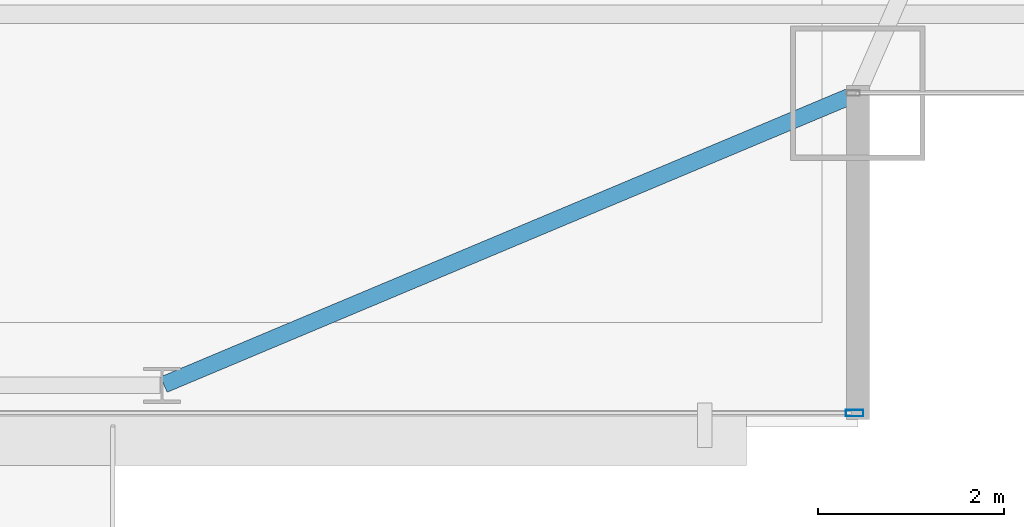
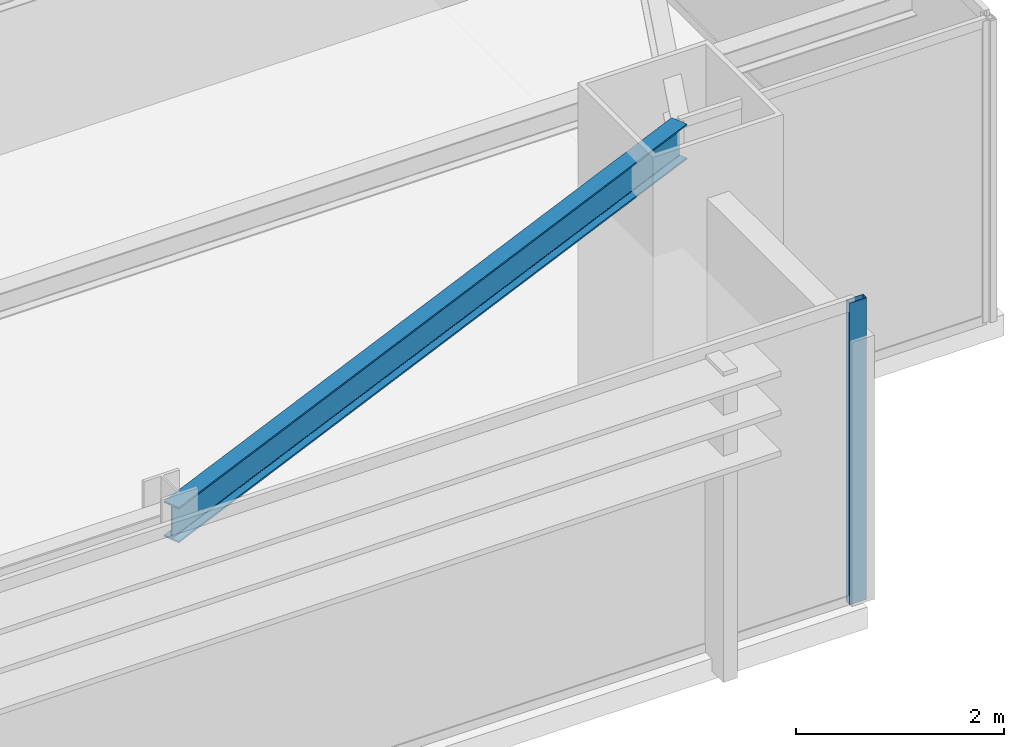
# One storey, part 14 of 37: 1 beam, 1 member, 1 element without a shape of its own.
"""IFC4 building model written with IfcOpenShell, lengths in metres."""

from ifc_helpers import new_model, si_unit, direction, frame, origin, origin_2d, place, context, subcontext, project, spatial, hollow_rectangle, i_section, extrude, source, transform, mapped, material, layer, layer_set, material_profile, profile_set, type_object, type_shapes, element, aggregate, save


model = new_model("IFC4")

# Units and contexts
model_context = context("Model", 3, precision=1e-05, world=origin(), true_north=direction((0.0, 1.0)))
body_context = subcontext(model_context, "Body", "Model", "MODEL_VIEW")
ifc_project = project(units=[si_unit("LENGTHUNIT", "METRE"), si_unit("AREAUNIT", "SQUARE_METRE"), si_unit("VOLUMEUNIT", "CUBIC_METRE"), si_unit("PLANEANGLEUNIT", "RADIAN"), si_unit("MASSUNIT", "GRAM", prefix="KILO")], contexts=[model_context])

# Site, building, storey
site_placement = place(None, origin())
site = spatial("IfcSite", under=ifc_project, at=site_placement, CompositionType="ELEMENT")
building_placement = place(site_placement, origin())
building = spatial("IfcBuilding", under=site, at=building_placement, Name="Varnel Quay Broadcast Tower", CompositionType="ELEMENT")
storey_placement = place(building_placement, frame((0.0, 0.0, 125.800048828125)))
storey = spatial("IfcBuildingStorey", under=building, at=storey_placement, Name="L30", CompositionType="ELEMENT", Elevation=125.800048828125)

# Beam
ifc_material_1 = material(Name="Structural Steel CSA G40.21 350W", Category="steel")
ifc_material_profile_1 = material_profile(ifc_material_1, i_section(OverallWidth=0.180908203125, OverallDepth=0.4169921875, WebThickness=0.010986328125, FlangeThickness=0.018310546875, FilletRadius=0.011962890625, at=origin_2d()), Name="W410X85")
ifc_profile_set_1 = profile_set([ifc_material_profile_1], Name="Structural Steel CSA G40.21 350W")
beam_type = type_object("IfcBeamType", Name="Beam_W410X85", PredefinedType="SPANDREL", material=ifc_profile_set_1)
shared_shape_1 = source(origin(), body_context, "Body", "SweptSolid", [
    extrude(i_section(OverallWidth=0.180908203125, OverallDepth=0.4169921875, WebThickness=0.010986328125, FlangeThickness=0.018310546875, FilletRadius=0.011962890625, at=origin_2d()), origin(), (0.0, 0.0, 1.0), 8.0947265625),
])
type_shapes(beam_type, [shared_shape_1])
beam_placement = place(storey_placement, frame((52.41845703125, 4.65771484375, 3.341552734375), z_axis=(0.921981890247, 0.387232997117, 0.0), x_axis=(-0.387232997117, 0.921981890247, 0.0)))
element("IfcBeam", 1, at=beam_placement, inside=storey, type_object=beam_type, Name="L30 South Spandrel TC-S5-MC-SE", PredefinedType="SPANDREL", context=body_context, shape_type="MappedRepresentation", body=[
    mapped(shared_shape_1, transform((0.0, 0.0, 0.0), x_axis=(1.0, 0.0, 0.0), y_axis=(0.0, 1.0, 0.0), z_axis=(0.0, 0.0, 1.0), scale=1.0)),
])

# Curtain wall, member
ifc_material_2 = material(Name="Anodised Bronze Aluminium 6063-T6", Category="aluminium")
ifc_layer = layer(ifc_material_2, 0.18994140625, Name="Anodised Bronze Aluminium 6063-T6")
ifc_layer_set = layer_set([ifc_layer], Name="Anodised Bronze Aluminium 6063-T6")
curtain_wall_type = type_object("IfcCurtainWallType", Name="CW_LowerTower", PredefinedType="NOTDEFINED", material=ifc_layer_set)
curtain_wall_placement = place(storey_placement, origin())
curtain_wall = element("IfcCurtainWall", 2, at=curtain_wall_placement, inside=storey, type_object=curtain_wall_type, Name="L30 South Unitised Curtain Wall 3", PredefinedType="NOTDEFINED")
ifc_material_profile_2 = material_profile(ifc_material_2, hollow_rectangle(XDim=0.070068359375, YDim=0.18994140625, WallThickness=0.00390625, at=origin_2d()), Name="ALU70X190X4")
ifc_profile_set_2 = profile_set([ifc_material_profile_2], Name="Anodised Bronze Aluminium 6063-T6")
member_type = type_object("IfcMemberType", Name="Mull_CWS-02", PredefinedType="MULLION", material=ifc_profile_set_2)
shared_shape_2 = source(origin(), body_context, "Body", "SweptSolid", [
    extrude(hollow_rectangle(XDim=0.070068359375, YDim=0.18994140625, WallThickness=0.00390625, at=origin_2d()), origin(), (0.0, 0.0, 1.0), 3.550048828125),
])
type_shapes(member_type, [shared_shape_2])
member_placement = place(storey_placement, frame((59.864990234375, 4.35009765625, 0.0), z_axis=(0.0, 0.0, 1.0), x_axis=(0.0, 1.0, 0.0)))
member = element("IfcMember", 3, at=member_placement, type_object=member_type, Name="CWS-02 mullion 2", PredefinedType="MULLION", context=body_context, shape_type="MappedRepresentation", body=[
    mapped(shared_shape_2, transform((0.0, 0.0, 0.0), x_axis=(1.0, 0.0, 0.0), y_axis=(0.0, 1.0, 0.0), z_axis=(0.0, 0.0, 1.0), scale=1.0)),
])
aggregate(curtain_wall, [member])

save(model, "model.ifc")
